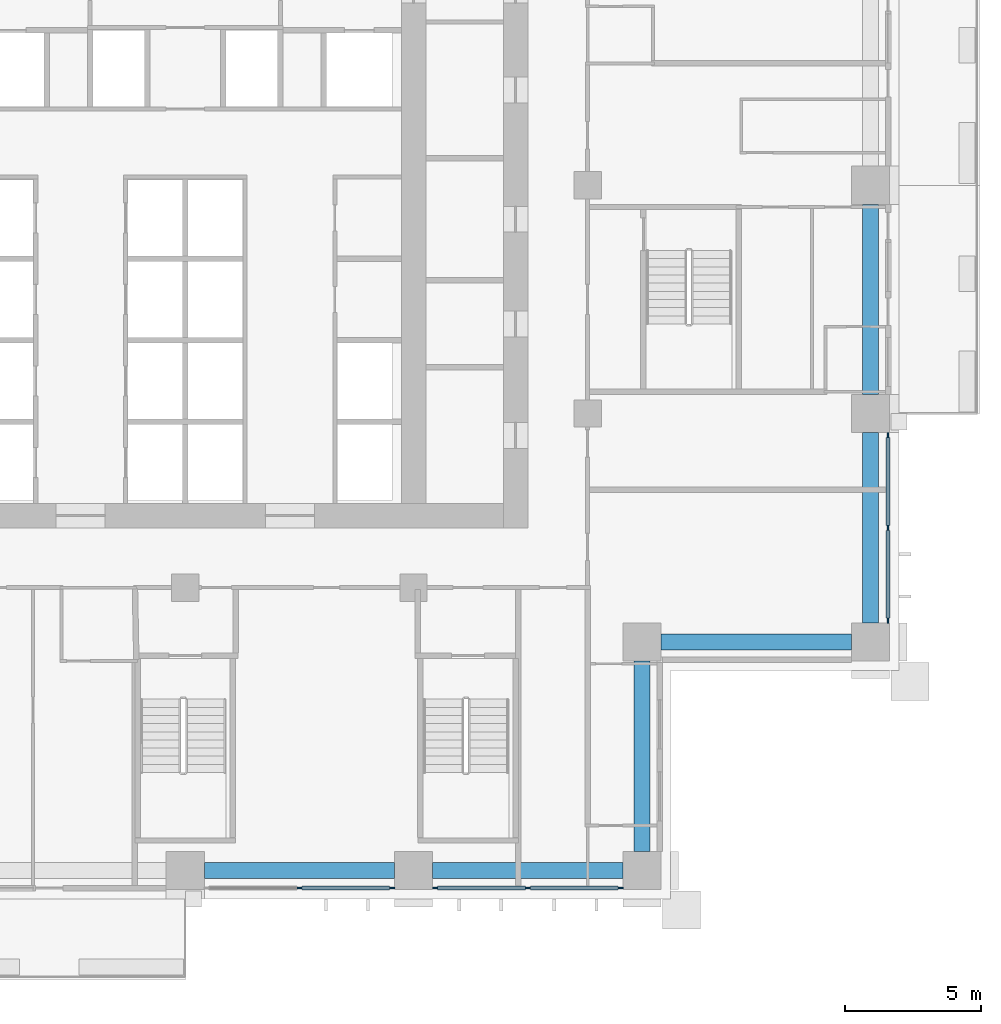
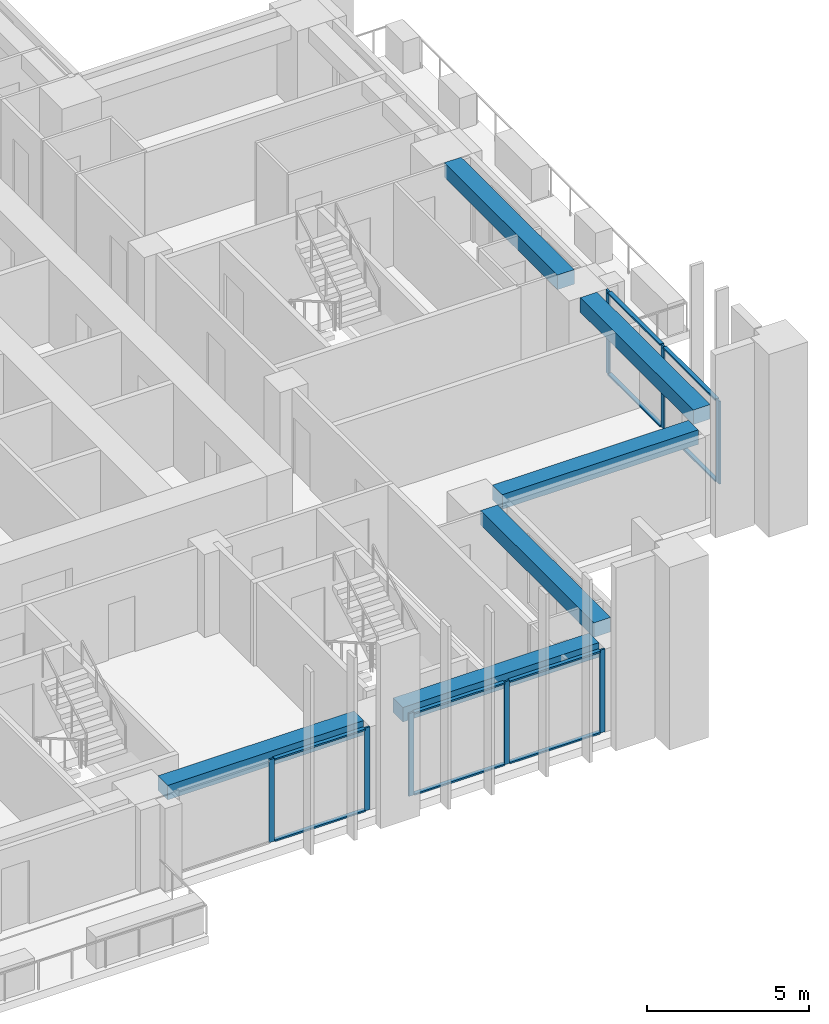
# One storey, part 4 of 18: 18 members, 6 beams, 3 elements without a shape of their own.
"""IFC4 building model written with IfcOpenShell, lengths in metres."""

from ifc_helpers import new_model, si_unit, direction, frame, origin, origin_2d, place, context, subcontext, project, spatial, rectangle, extrude, material, material_profile, profile_set, type_object, element, aggregate, save


model = new_model("IFC4")

# Units and contexts
model_context = context("Model", 3, precision=1e-05, world=origin(), true_north=direction((0.0, 1.0)))
body_context = subcontext(model_context, "Body", "Model", "MODEL_VIEW")
ifc_project = project(units=[si_unit("LENGTHUNIT", "METRE"), si_unit("AREAUNIT", "SQUARE_METRE"), si_unit("VOLUMEUNIT", "CUBIC_METRE"), si_unit("PLANEANGLEUNIT", "RADIAN"), si_unit("MASSUNIT", "GRAM", prefix="KILO")], contexts=[model_context])

# Site, building, storey
site_placement = place(None, origin())
site = spatial("IfcSite", under=ifc_project, at=site_placement, CompositionType="ELEMENT")
building_placement = place(site_placement, origin())
building = spatial("IfcBuilding", under=site, at=building_placement, Name="Vermilion Ogive Tower", CompositionType="ELEMENT")
storey_placement = place(building_placement, frame((0.0, 0.0, 55.199951171875)))
storey = spatial("IfcBuildingStorey", under=building, at=storey_placement, Name="L12", CompositionType="ELEMENT", Elevation=55.199951171875)

# Curtain wall, members
ifc_material_1 = material(Name="Low-iron laminated glazing in aluminium frame", Category="aluminium")
curtain_wall_type = type_object("IfcCurtainWallType", Name="Curtain wall CW7", PredefinedType="NOTDEFINED", material=ifc_material_1)
curtain_wall_1_placement = place(storey_placement, origin())
curtain_wall_1 = element("IfcCurtainWall", 1, at=curtain_wall_1_placement, inside=storey, type_object=curtain_wall_type, Name="Glazed skin S3", PredefinedType="NOTDEFINED")
ifc_material_2 = material(Name="Aluminium mullion", Category="aluminium")
ifc_material_profile_1 = material_profile(ifc_material_2, rectangle(XDim=0.06005859375, YDim=0.179931640625, at=origin_2d()), Name="AL 60x180")
ifc_profile_set_1 = profile_set([ifc_material_profile_1], Name="Aluminium mullion")
member_type_1 = type_object("IfcMemberType", Name="CW7 mullion 60x180", PredefinedType="MULLION", material=ifc_profile_set_1)
member_1_placement = place(storey_placement, frame((4.199951171875, -21.64990234375, 0.0), z_axis=(0.0, 0.0, 1.0), x_axis=(0.0, 1.0, 0.0)))
member_1 = element("IfcMember", 2, at=member_1_placement, type_object=member_type_1, Name="CW7-S3 mullion 2", PredefinedType="MULLION", context=body_context, shape_type="SweptSolid", body=[
    extrude(rectangle(XDim=0.06005859375, YDim=0.179931640625, at=origin_2d()), origin(), (0.0, 0.0, 1.0), 3.130126953125),
])
member_2_placement = place(storey_placement, frame((7.610107421875, -21.64990234375, 0.0), z_axis=(0.0, 0.0, 1.0), x_axis=(0.0, 1.0, 0.0)))
member_2 = element("IfcMember", 3, at=member_2_placement, type_object=member_type_1, Name="CW7-S3 mullion 3", PredefinedType="MULLION", context=body_context, shape_type="SweptSolid", body=[
    extrude(rectangle(XDim=0.06005859375, YDim=0.179931640625, at=origin_2d()), origin(), (0.0, 0.0, 1.0), 3.130126953125),
])

curtain_wall_2_placement = place(storey_placement, origin())
curtain_wall_2 = element("IfcCurtainWall", 4, at=curtain_wall_2_placement, inside=storey, type_object=curtain_wall_type, Name="Glazed skin S4", PredefinedType="NOTDEFINED")
member_3_placement = place(storey_placement, frame((9.18994140625, -21.64990234375, 0.0), z_axis=(0.0, 0.0, 1.0), x_axis=(0.0, 1.0, 0.0)))
member_3 = element("IfcMember", 5, at=member_3_placement, type_object=member_type_1, Name="CW7-S4 mullion 1", PredefinedType="MULLION", context=body_context, shape_type="SweptSolid", body=[
    extrude(rectangle(XDim=0.06005859375, YDim=0.179931640625, at=origin_2d()), origin(), (0.0, 0.0, 1.0), 3.130126953125),
])
member_4_placement = place(storey_placement, frame((12.60009765625, -21.64990234375, 0.0), z_axis=(0.0, 0.0, 1.0), x_axis=(0.0, 1.0, 0.0)))
member_4 = element("IfcMember", 6, at=member_4_placement, type_object=member_type_1, Name="CW7-S4 mullion 2", PredefinedType="MULLION", context=body_context, shape_type="SweptSolid", body=[
    extrude(rectangle(XDim=0.06005859375, YDim=0.179931640625, at=origin_2d()), origin(), (0.0, 0.0, 1.0), 3.130126953125),
])
member_5_placement = place(storey_placement, frame((16.010009765625, -21.64990234375, 0.0), z_axis=(0.0, 0.0, 1.0), x_axis=(0.0, 1.0, 0.0)))
member_5 = element("IfcMember", 7, at=member_5_placement, type_object=member_type_1, Name="CW7-S4 mullion 3", PredefinedType="MULLION", context=body_context, shape_type="SweptSolid", body=[
    extrude(rectangle(XDim=0.06005859375, YDim=0.179931640625, at=origin_2d()), origin(), (0.0, 0.0, 1.0), 3.130126953125),
])

curtain_wall_3_placement = place(storey_placement, origin())
curtain_wall_3 = element("IfcCurtainWall", 8, at=curtain_wall_3_placement, inside=storey, type_object=curtain_wall_type, Name="Glazed skin E1", PredefinedType="NOTDEFINED")
member_6_placement = place(storey_placement, frame((25.85009765625, -11.81005859375, 0.0), z_axis=(0.0, 0.0, 1.0), x_axis=(-1.0, 0.0, 0.0)))
member_6 = element("IfcMember", 9, at=member_6_placement, type_object=member_type_1, Name="CW7-E1 mullion 1", PredefinedType="MULLION", context=body_context, shape_type="SweptSolid", body=[
    extrude(rectangle(XDim=0.06005859375, YDim=0.179931640625, at=origin_2d()), origin(), (0.0, 0.0, 1.0), 3.130126953125),
])
member_7_placement = place(storey_placement, frame((25.85009765625, -8.39990234375, 0.0), z_axis=(0.0, 0.0, 1.0), x_axis=(-1.0, 0.0, 0.0)))
member_7 = element("IfcMember", 10, at=member_7_placement, type_object=member_type_1, Name="CW7-E1 mullion 2", PredefinedType="MULLION", context=body_context, shape_type="SweptSolid", body=[
    extrude(rectangle(XDim=0.06005859375, YDim=0.179931640625, at=origin_2d()), origin(), (0.0, 0.0, 1.0), 3.130126953125),
])
member_8_placement = place(storey_placement, frame((25.85009765625, -4.989990234375, 0.0), z_axis=(0.0, 0.0, 1.0), x_axis=(-1.0, 0.0, 0.0)))
member_8 = element("IfcMember", 11, at=member_8_placement, type_object=member_type_1, Name="CW7-E1 mullion 3", PredefinedType="MULLION", context=body_context, shape_type="SweptSolid", body=[
    extrude(rectangle(XDim=0.06005859375, YDim=0.179931640625, at=origin_2d()), origin(), (0.0, 0.0, 1.0), 3.130126953125),
])

# Member
ifc_material_3 = material(Name="Aluminium transom", Category="aluminium")
ifc_material_profile_2 = material_profile(ifc_material_3, rectangle(XDim=0.139892578125, YDim=0.06005859375, at=origin_2d()), Name="AL 60x140")
ifc_profile_set_2 = profile_set([ifc_material_profile_2], Name="Aluminium transom")
member_type_2 = type_object("IfcMemberType", Name="CW7 transom 60x140", PredefinedType="USERDEFINED", material=ifc_profile_set_2)
member_9_placement = place(storey_placement, frame((4.2900390625, -21.64990234375, 0.030029296875), z_axis=(1.0, 0.0, 0.0), x_axis=(0.0, 1.0, 0.0)))
member_9 = element("IfcMember", 12, at=member_9_placement, type_object=member_type_2, Name="CW7-S3 transom 2.1", ObjectType="TRANSOM", PredefinedType="USERDEFINED", context=body_context, shape_type="SweptSolid", body=[
    extrude(rectangle(XDim=0.139892578125, YDim=0.06005859375, at=origin_2d()), origin(), (0.0, 0.0, 1.0), 3.22998046875),
])

member_10_placement = place(storey_placement, frame((4.2900390625, -21.64990234375, 3.10009765625), z_axis=(1.0, 0.0, 0.0), x_axis=(0.0, 1.0, 0.0)))
member_10 = element("IfcMember", 13, at=member_10_placement, type_object=member_type_2, Name="CW7-S3 transom 2.2", ObjectType="TRANSOM", PredefinedType="USERDEFINED", context=body_context, shape_type="SweptSolid", body=[
    extrude(rectangle(XDim=0.139892578125, YDim=0.06005859375, at=origin_2d()), origin(), (0.0, 0.0, 1.0), 3.22998046875),
])

aggregate(curtain_wall_1, [member_1, member_2, member_9, member_10])

member_11_placement = place(storey_placement, frame((9.280029296875, -21.64990234375, 0.030029296875), z_axis=(1.0, 0.0, 0.0), x_axis=(0.0, 1.0, 0.0)))
member_11 = element("IfcMember", 14, at=member_11_placement, type_object=member_type_2, Name="CW7-S4 transom 1.1", ObjectType="TRANSOM", PredefinedType="USERDEFINED", context=body_context, shape_type="SweptSolid", body=[
    extrude(rectangle(XDim=0.139892578125, YDim=0.06005859375, at=origin_2d()), origin(), (0.0, 0.0, 1.0), 3.22998046875),
])

member_12_placement = place(storey_placement, frame((9.280029296875, -21.64990234375, 3.10009765625), z_axis=(1.0, 0.0, 0.0), x_axis=(0.0, 1.0, 0.0)))
member_12 = element("IfcMember", 15, at=member_12_placement, type_object=member_type_2, Name="CW7-S4 transom 1.2", ObjectType="TRANSOM", PredefinedType="USERDEFINED", context=body_context, shape_type="SweptSolid", body=[
    extrude(rectangle(XDim=0.139892578125, YDim=0.06005859375, at=origin_2d()), origin(), (0.0, 0.0, 1.0), 3.22998046875),
])

member_13_placement = place(storey_placement, frame((12.68994140625, -21.64990234375, 0.030029296875), z_axis=(1.0, 0.0, 0.0), x_axis=(0.0, 1.0, 0.0)))
member_13 = element("IfcMember", 16, at=member_13_placement, type_object=member_type_2, Name="CW7-S4 transom 2.1", ObjectType="TRANSOM", PredefinedType="USERDEFINED", context=body_context, shape_type="SweptSolid", body=[
    extrude(rectangle(XDim=0.139892578125, YDim=0.06005859375, at=origin_2d()), origin(), (0.0, 0.0, 1.0), 3.22998046875),
])

member_14_placement = place(storey_placement, frame((12.68994140625, -21.64990234375, 3.10009765625), z_axis=(1.0, 0.0, 0.0), x_axis=(0.0, 1.0, 0.0)))
member_14 = element("IfcMember", 17, at=member_14_placement, type_object=member_type_2, Name="CW7-S4 transom 2.2", ObjectType="TRANSOM", PredefinedType="USERDEFINED", context=body_context, shape_type="SweptSolid", body=[
    extrude(rectangle(XDim=0.139892578125, YDim=0.06005859375, at=origin_2d()), origin(), (0.0, 0.0, 1.0), 3.22998046875),
])

aggregate(curtain_wall_2, [member_3, member_4, member_5, member_11, member_12, member_13, member_14])

member_15_placement = place(storey_placement, frame((25.85009765625, -11.719970703125, 0.030029296875), z_axis=(0.0, 1.0, 0.0), x_axis=(-1.0, 0.0, 0.0)))
member_15 = element("IfcMember", 18, at=member_15_placement, type_object=member_type_2, Name="CW7-E1 transom 1.1", ObjectType="TRANSOM", PredefinedType="USERDEFINED", context=body_context, shape_type="SweptSolid", body=[
    extrude(rectangle(XDim=0.139892578125, YDim=0.06005859375, at=origin_2d()), origin(), (0.0, 0.0, 1.0), 3.22998046875),
])

member_16_placement = place(storey_placement, frame((25.85009765625, -11.719970703125, 3.10009765625), z_axis=(0.0, 1.0, 0.0), x_axis=(-1.0, 0.0, 0.0)))
member_16 = element("IfcMember", 19, at=member_16_placement, type_object=member_type_2, Name="CW7-E1 transom 1.2", ObjectType="TRANSOM", PredefinedType="USERDEFINED", context=body_context, shape_type="SweptSolid", body=[
    extrude(rectangle(XDim=0.139892578125, YDim=0.06005859375, at=origin_2d()), origin(), (0.0, 0.0, 1.0), 3.22998046875),
])

member_17_placement = place(storey_placement, frame((25.85009765625, -8.31005859375, 0.030029296875), z_axis=(0.0, 1.0, 0.0), x_axis=(-1.0, 0.0, 0.0)))
member_17 = element("IfcMember", 20, at=member_17_placement, type_object=member_type_2, Name="CW7-E1 transom 2.1", ObjectType="TRANSOM", PredefinedType="USERDEFINED", context=body_context, shape_type="SweptSolid", body=[
    extrude(rectangle(XDim=0.139892578125, YDim=0.06005859375, at=origin_2d()), origin(), (0.0, 0.0, 1.0), 3.22998046875),
])

member_18_placement = place(storey_placement, frame((25.85009765625, -8.31005859375, 3.10009765625), z_axis=(0.0, 1.0, 0.0), x_axis=(-1.0, 0.0, 0.0)))
member_18 = element("IfcMember", 21, at=member_18_placement, type_object=member_type_2, Name="CW7-E1 transom 2.2", ObjectType="TRANSOM", PredefinedType="USERDEFINED", context=body_context, shape_type="SweptSolid", body=[
    extrude(rectangle(XDim=0.139892578125, YDim=0.06005859375, at=origin_2d()), origin(), (0.0, 0.0, 1.0), 3.22998046875),
])

aggregate(curtain_wall_3, [member_6, member_7, member_8, member_15, member_16, member_17, member_18])

# Beams
ifc_material_4 = material(Name="Concrete B45", Category="concrete")
ifc_material_profile_3 = material_profile(ifc_material_4, rectangle(XDim=0.60009765625, YDim=0.550048828125, at=origin_2d()), Name="600 x 550")
ifc_profile_set_3 = profile_set([ifc_material_profile_3], Name="Concrete B45")
beam_type = type_object("IfcBeamType", Name="Edge beam 600 x 550 B45", PredefinedType="BEAM", material=ifc_profile_set_3)
for number, where, z_axis, x_axis, name in (
    (22, (0.699951171875, -21.0, 2.85498046875), (1.0, 0.0, 0.0), (0.0, 1.0, 0.0), "L12-EB-3"),
    (23, (9.10009765625, -21.0, 2.85498046875), (1.0, 0.0, 0.0), (0.0, 1.0, 0.0), "L12-EB-4"),
    (24, (16.800048828125, -20.300048828125, 2.85498046875), (0.0, 1.0, 0.0), (-1.0, 0.0, 0.0), "L12-EB-5"),
    (25, (17.5, -12.60009765625, 2.85498046875), (1.0, 0.0, 0.0), (0.0, 1.0, 0.0), "L12-EB-6"),
    (26, (25.199951171875, -11.89990234375, 2.85498046875), (0.0, 1.0, 0.0), (-1.0, 0.0, 0.0), "L12-EB-7"),
    (27, (25.199951171875, -3.5, 2.85498046875), (0.0, 1.0, 0.0), (-1.0, 0.0, 0.0), "L12-EB-8"),
):
    element("IfcBeam", number, at=place(storey_placement, frame(where, z_axis=z_axis, x_axis=x_axis)), inside=storey, type_object=beam_type, Name=name, PredefinedType="BEAM", context=body_context, shape_type="SweptSolid", body=[
        extrude(rectangle(XDim=0.60009765625, YDim=0.550048828125, at=origin_2d()), origin(), (0.0, 0.0, 1.0), 7.0),
    ])

save(model, "model.ifc")
